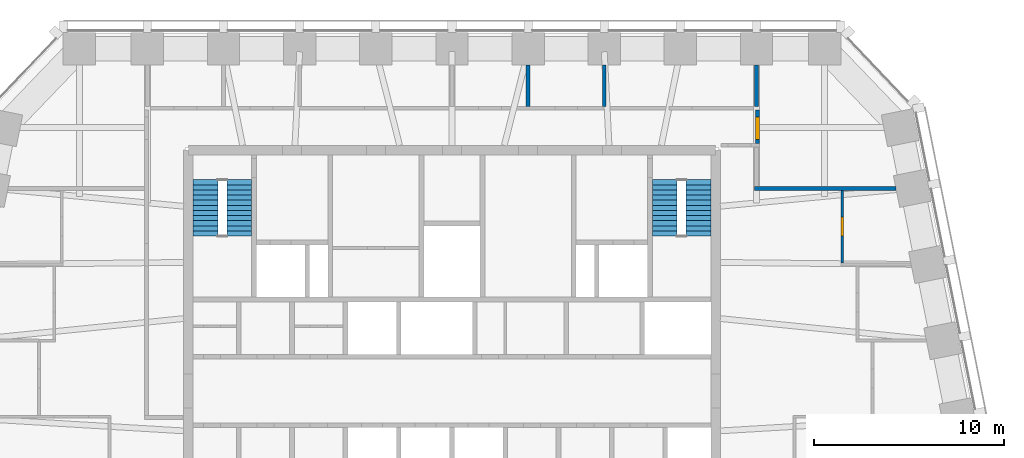
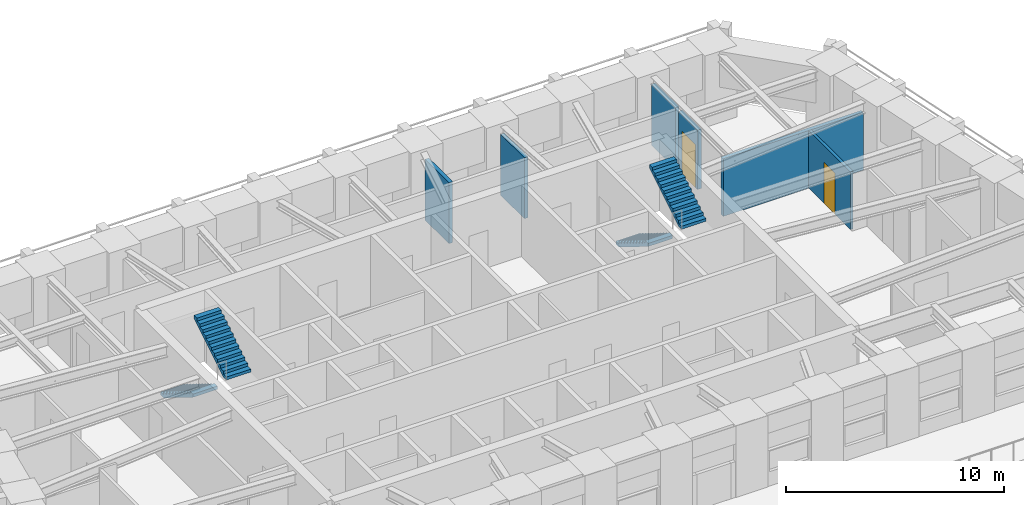
# One storey, part 7 of 9: 6 walls, 4 stair flights, 2 doors, 2 openings, 2 elements without a shape of their own.
"""IFC4 building model written with IfcOpenShell, lengths in metres."""

from ifc_helpers import new_model, si_unit, direction, frame, frame_2d, origin, place, context, subcontext, project, spatial, polyline, rectangle, outline, extrude, material, layer, layer_set, type_object, element, fill, aggregate, save


model = new_model("IFC4")

# Units and contexts
model_context = context("Model", 3, precision=1e-05, world=origin(), true_north=direction((0.0, 1.0)))
body_context = subcontext(model_context, "Body", "Model", "MODEL_VIEW")
ifc_project = project(units=[si_unit("LENGTHUNIT", "METRE"), si_unit("AREAUNIT", "SQUARE_METRE"), si_unit("VOLUMEUNIT", "CUBIC_METRE"), si_unit("PLANEANGLEUNIT", "RADIAN"), si_unit("MASSUNIT", "GRAM", prefix="KILO")], contexts=[model_context])

# Site, building, storey
site_placement = place(None, origin())
site = spatial("IfcSite", under=ifc_project, at=site_placement, CompositionType="ELEMENT")
building_placement = place(site_placement, origin())
building = spatial("IfcBuilding", under=site, at=building_placement, Name="Isbrekke Arena Tower", CompositionType="ELEMENT")
storey_placement = place(building_placement, frame((0.0, 0.0, 308.0)))
storey = spatial("IfcBuildingStorey", under=building, at=storey_placement, Name="L72", CompositionType="ELEMENT", Elevation=308.0)

# Wall, opening, door
ifc_material_1 = material(Name="Gypsum board partition on steel studs", Category="steel")
ifc_layer_1 = layer(ifc_material_1, 0.14990234375)
ifc_layer_set_1 = layer_set([ifc_layer_1], Name="IW1 PARTITION 150")
wall_type_1 = type_object("IfcWallType", Name="IW1 PARTITION 150", PredefinedType="PARTITIONING", material=ifc_layer_set_1)
wall_1_placement = place(storey_placement, frame((20.5, 17.9150390625, 0.0), z_axis=(0.0, 0.0, 1.0), x_axis=(0.0, 1.0, 0.0)))
wall_1 = element("IfcWall", 1, at=wall_1_placement, inside=storey, type_object=wall_type_1, Name="IW1 partition 150 L72", PredefinedType="PARTITIONING", context=body_context, shape_type="SweptSolid", body=[
    extrude(rectangle(XDim=3.824951171875, YDim=0.14990234375, at=frame_2d((1.91259765625, 0.0))), origin(), (0.0, 0.0, 1.0), 3.22998046875),
])
opening_1_placement = place(wall_1_placement, frame((1.425048828125, 0.0, 0.0)))
opening_1 = element("IfcOpeningElement", 2, at=opening_1_placement, cuts=wall_1, Name="Opening D10", PredefinedType="OPENING", context=body_context, shape_type="SweptSolid", body=[
    extrude(rectangle(XDim=1.0, YDim=2.300048828125, at=frame_2d((0.5, 1.14990234375))), frame((0.0, 0.08984375, 0.0), z_axis=(0.0, -1.0, 0.0), x_axis=(1.0, 0.0, 0.0)), (0.0, 0.0, 1.0), 0.1796875),
])
ifc_material_2 = material(Name="Timber door", Category="wood")
door_type_1 = type_object("IfcDoorType", Name="D10 OFFICE DOOR 1000 x 2300", OperationType="SINGLE_SWING_LEFT", PredefinedType="DOOR", material=ifc_material_2)
door_1_placement = place(opening_1_placement, origin())
door_1 = element("IfcDoor", 3, at=door_1_placement, inside=storey, type_object=door_type_1, Name="D10 office door L72", OperationType="SINGLE_SWING_LEFT", OverallHeight=2.300048828125, OverallWidth=1.0, PredefinedType="DOOR", context=body_context, shape_type="SweptSolid", body=[
    extrude(rectangle(XDim=1.0, YDim=2.300048828125, at=frame_2d((0.5, 1.14990234375))), frame((0.0, 0.07470703125, 0.0), z_axis=(0.0, -1.0, 0.0), x_axis=(1.0, 0.0, 0.0)), (0.0, 0.0, 1.0), 0.1494140625),
])
fill(opening_1, door_1)

# Walls
ifc_material_3 = material(Name="Gypsum board fire-cell wall on steel studs, two layers each side", Category="steel")
ifc_layer_2 = layer(ifc_material_3, 0.199951171875)
ifc_layer_set_2 = layer_set([ifc_layer_2], Name="IW3 FIRE-CELL WALL 200")
wall_type_2 = type_object("IfcWallType", Name="IW3 FIRE-CELL WALL 200", PredefinedType="PARTITIONING", material=ifc_layer_set_2)
wall_2_placement = place(storey_placement, frame((15.89990234375, 21.840087890625, 0.0), z_axis=(0.0, 0.0, 1.0), x_axis=(1.0, 0.0, 0.0)))
element("IfcWall", 4, at=wall_2_placement, inside=storey, type_object=wall_type_2, Name="IW3 fire-cell wall 200 L72", PredefinedType="PARTITIONING", context=body_context, shape_type="SweptSolid", body=[
    extrude(rectangle(XDim=7.423828125, YDim=0.199951171875, at=frame_2d((3.7119140625, 0.0))), origin(), (0.0, 0.0, 1.0), 3.22998046875),
])
for number, where, z_axis, x_axis, name in (
    (5, (4.0, 26.14990234375, 0.0), (0.0, 0.0, 1.0), (0.0, 1.0, 0.0), "IW3 fire-cell wall 200 L72"),
    (6, (8.0, 26.14990234375, 0.0), (0.0, 0.0, 1.0), (0.0, 1.0, 0.0), "IW3 fire-cell wall 200 L72"),
    (7, (16.0, 26.14990234375, 0.0), (0.0, 0.0, 1.0), (0.0, 1.0, 0.0), "IW3 fire-cell wall 200 L72"),
):
    element("IfcWall", number, at=place(storey_placement, frame(where, z_axis=z_axis, x_axis=x_axis)), inside=storey, type_object=wall_type_2, Name=name, PredefinedType="PARTITIONING", context=body_context, shape_type="SweptSolid", body=[
        extrude(rectangle(XDim=2.175048828125, YDim=0.199951171875, at=frame_2d((1.08740234375, 0.0))), origin(), (0.0, 0.0, 1.0), 3.41796875),
    ])

# Wall, opening, door
wall_3_placement = place(storey_placement, frame((16.050048828125, 24.199951171875, 0.0), z_axis=(0.0, 0.0, 1.0), x_axis=(0.0, 1.0, 0.0)))
wall_3 = element("IfcWall", 8, at=wall_3_placement, inside=storey, type_object=wall_type_2, Name="IW3 fire-cell wall 200 L72", PredefinedType="PARTITIONING", context=body_context, shape_type="SweptSolid", body=[
    extrude(rectangle(XDim=1.75, YDim=0.199951171875, at=frame_2d((0.875, 0.0))), origin(), (0.0, 0.0, 1.0), 3.325927734375),
])
opening_2_placement = place(wall_3_placement, frame((0.199951171875, 0.0, 0.0)))
opening_2 = element("IfcOpeningElement", 9, at=opening_2_placement, cuts=wall_3, Name="Opening D12", PredefinedType="OPENING", context=body_context, shape_type="SweptSolid", body=[
    extrude(rectangle(XDim=1.199951171875, YDim=2.39990234375, at=frame_2d((0.60009765625, 1.199951171875))), frame((0.0, 0.11474609375, 0.0), z_axis=(0.0, -1.0, 0.0), x_axis=(1.0, 0.0, 0.0)), (0.0, 0.0, 1.0), 0.229736328125),
])
ifc_material_4 = material(Name="Timber fire door with vision panel", Category="wood")
door_type_2 = type_object("IfcDoorType", Name="D12 SUITE ENTRANCE DOOR 1200 x 2400", OperationType="SINGLE_SWING_LEFT", PredefinedType="DOOR", material=ifc_material_4)
door_2_placement = place(opening_2_placement, origin())
door_2 = element("IfcDoor", 10, at=door_2_placement, inside=storey, type_object=door_type_2, Name="D12 suite entrance NCE door L72", OperationType="SINGLE_SWING_LEFT", OverallHeight=2.39990234375, OverallWidth=1.199951171875, PredefinedType="DOOR", context=body_context, shape_type="SweptSolid", body=[
    extrude(rectangle(XDim=1.199951171875, YDim=2.39990234375, at=frame_2d((0.60009765625, 1.199951171875))), frame((0.0, 0.099609375, 0.0), z_axis=(0.0, -1.0, 0.0), x_axis=(1.0, 0.0, 0.0)), (0.0, 0.0, 1.0), 0.199462890625),
])
fill(opening_2, door_2)

# Stair, stair flights
ifc_material_5 = material(Name="Concrete B45 (C45/55) precast", Category="concrete")
stair_type = type_object("IfcStairType", Name="ST40 STAIR 1300 WIDE, 24 RISERS 167", PredefinedType="HALF_TURN_STAIR", material=ifc_material_5)
stair_1_placement = place(storey_placement, origin())
stair_1 = element("IfcStair", 11, at=stair_1_placement, inside=storey, type_object=stair_type, Name="ST1 stair L72", PredefinedType="HALF_TURN_STAIR")
ifc_material_6 = material(Name="Concrete B45 (C45/55) precast", Category="concrete")
stair_flight_type = type_object("IfcStairFlightType", Name="SF 1300 FLIGHT", PredefinedType="STRAIGHT", material=ifc_material_6)
stair_flight_1_placement = place(storey_placement, frame((-12.949951171875, 22.300048828125, 0.0), z_axis=(0.0, 0.0, 1.0), x_axis=(0.0, -1.0, 0.0)))
stair_flight_1 = element("IfcStairFlight", 12, at=stair_flight_1_placement, type_object=stair_flight_type, Name="ST1 flight 1", NumberOfRisers=12, NumberOfTreads=11, PredefinedType="STRAIGHT", RiserHeight=0.166666667, TreadLength=0.27, context=body_context, shape_type="SweptSolid", body=[
    extrude(outline(polyline([(0.0, 0.0), (0.0, 0.166748046875), (0.27001953125, 0.166748046875), (0.27001953125, 0.333251953125), (0.5400390625, 0.333251953125), (0.5400390625, 0.5), (0.81005859375, 0.5), (0.81005859375, 0.666748046875), (1.080078125, 0.666748046875), (1.080078125, 0.833251953125), (1.35009765625, 0.833251953125), (1.35009765625, 1.0), (1.6201171875, 1.0), (1.6201171875, 1.166748046875), (1.889892578125, 1.166748046875), (1.889892578125, 1.333251953125), (2.159912109375, 1.333251953125), (2.159912109375, 1.5), (2.429931640625, 1.5), (2.429931640625, 1.666748046875), (2.699951171875, 1.666748046875), (2.699951171875, 1.833251953125), (2.969970703125, 1.833251953125), (2.969970703125, 2.0), (2.969970703125, 1.6572265625), (0.285400390625, 0.0), (0.0, 0.0)])), frame((0.0, 0.64990234375, 0.0), z_axis=(0.0, -1.0, 0.0), x_axis=(1.0, 0.0, 0.0)), (0.0, 0.0, 1.0), 1.300048828125),
])
stair_flight_2_placement = place(storey_placement, frame((-11.175048828125, 19.330078125, 2.0), z_axis=(0.0, 0.0, 1.0), x_axis=(0.0, 1.0, 0.0)))
stair_flight_2 = element("IfcStairFlight", 13, at=stair_flight_2_placement, type_object=stair_flight_type, Name="ST1 flight 2", NumberOfRisers=12, NumberOfTreads=11, PredefinedType="STRAIGHT", RiserHeight=0.166666667, TreadLength=0.27, context=body_context, shape_type="SweptSolid", body=[
    extrude(outline(polyline([(0.0, 0.0), (0.0, 0.166748046875), (0.27001953125, 0.166748046875), (0.27001953125, 0.333251953125), (0.5400390625, 0.333251953125), (0.5400390625, 0.5), (0.81005859375, 0.5), (0.81005859375, 0.666748046875), (1.080078125, 0.666748046875), (1.080078125, 0.833251953125), (1.35009765625, 0.833251953125), (1.35009765625, 1.0), (1.6201171875, 1.0), (1.6201171875, 1.166748046875), (1.889892578125, 1.166748046875), (1.889892578125, 1.333251953125), (2.159912109375, 1.333251953125), (2.159912109375, 1.5), (2.429931640625, 1.5), (2.429931640625, 1.666748046875), (2.699951171875, 1.666748046875), (2.699951171875, 1.833251953125), (2.969970703125, 1.833251953125), (2.969970703125, 2.0), (2.969970703125, 1.6572265625), (0.285400390625, 0.0), (0.0, 0.0)])), frame((0.0, 0.64990234375, 0.0), z_axis=(0.0, -1.0, 0.0), x_axis=(1.0, 0.0, 0.0)), (0.0, 0.0, 1.0), 1.300048828125),
])
aggregate(stair_1, [stair_flight_1, stair_flight_2])

stair_2_placement = place(storey_placement, origin())
stair_2 = element("IfcStair", 14, at=stair_2_placement, inside=storey, type_object=stair_type, Name="ST2 stair L72", PredefinedType="HALF_TURN_STAIR")
stair_flight_3_placement = place(storey_placement, frame((11.175048828125, 22.300048828125, 0.0), z_axis=(0.0, 0.0, 1.0), x_axis=(0.0, -1.0, 0.0)))
stair_flight_3 = element("IfcStairFlight", 15, at=stair_flight_3_placement, type_object=stair_flight_type, Name="ST2 flight 1", NumberOfRisers=12, NumberOfTreads=11, PredefinedType="STRAIGHT", RiserHeight=0.166666667, TreadLength=0.27, context=body_context, shape_type="SweptSolid", body=[
    extrude(outline(polyline([(0.0, 0.0), (0.0, 0.166748046875), (0.27001953125, 0.166748046875), (0.27001953125, 0.333251953125), (0.5400390625, 0.333251953125), (0.5400390625, 0.5), (0.81005859375, 0.5), (0.81005859375, 0.666748046875), (1.080078125, 0.666748046875), (1.080078125, 0.833251953125), (1.35009765625, 0.833251953125), (1.35009765625, 1.0), (1.6201171875, 1.0), (1.6201171875, 1.166748046875), (1.889892578125, 1.166748046875), (1.889892578125, 1.333251953125), (2.159912109375, 1.333251953125), (2.159912109375, 1.5), (2.429931640625, 1.5), (2.429931640625, 1.666748046875), (2.699951171875, 1.666748046875), (2.699951171875, 1.833251953125), (2.969970703125, 1.833251953125), (2.969970703125, 2.0), (2.969970703125, 1.6572265625), (0.285400390625, 0.0), (0.0, 0.0)])), frame((0.0, 0.64990234375, 0.0), z_axis=(0.0, -1.0, 0.0), x_axis=(1.0, 0.0, 0.0)), (0.0, 0.0, 1.0), 1.300048828125),
])
stair_flight_4_placement = place(storey_placement, frame((12.949951171875, 19.330078125, 2.0), z_axis=(0.0, 0.0, 1.0), x_axis=(0.0, 1.0, 0.0)))
stair_flight_4 = element("IfcStairFlight", 16, at=stair_flight_4_placement, type_object=stair_flight_type, Name="ST2 flight 2", NumberOfRisers=12, NumberOfTreads=11, PredefinedType="STRAIGHT", RiserHeight=0.166666667, TreadLength=0.27, context=body_context, shape_type="SweptSolid", body=[
    extrude(outline(polyline([(0.0, 0.0), (0.0, 0.166748046875), (0.27001953125, 0.166748046875), (0.27001953125, 0.333251953125), (0.5400390625, 0.333251953125), (0.5400390625, 0.5), (0.81005859375, 0.5), (0.81005859375, 0.666748046875), (1.080078125, 0.666748046875), (1.080078125, 0.833251953125), (1.35009765625, 0.833251953125), (1.35009765625, 1.0), (1.6201171875, 1.0), (1.6201171875, 1.166748046875), (1.889892578125, 1.166748046875), (1.889892578125, 1.333251953125), (2.159912109375, 1.333251953125), (2.159912109375, 1.5), (2.429931640625, 1.5), (2.429931640625, 1.666748046875), (2.699951171875, 1.666748046875), (2.699951171875, 1.833251953125), (2.969970703125, 1.833251953125), (2.969970703125, 2.0), (2.969970703125, 1.6572265625), (0.285400390625, 0.0), (0.0, 0.0)])), frame((0.0, 0.64990234375, 0.0), z_axis=(0.0, -1.0, 0.0), x_axis=(1.0, 0.0, 0.0)), (0.0, 0.0, 1.0), 1.300048828125),
])
aggregate(stair_2, [stair_flight_3, stair_flight_4])

save(model, "model.ifc")
